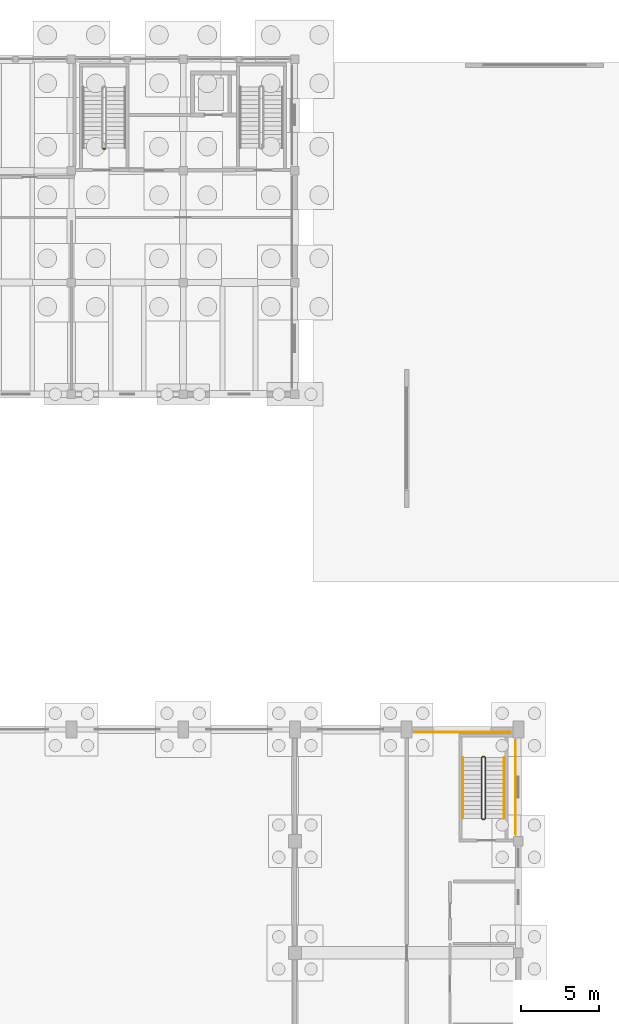
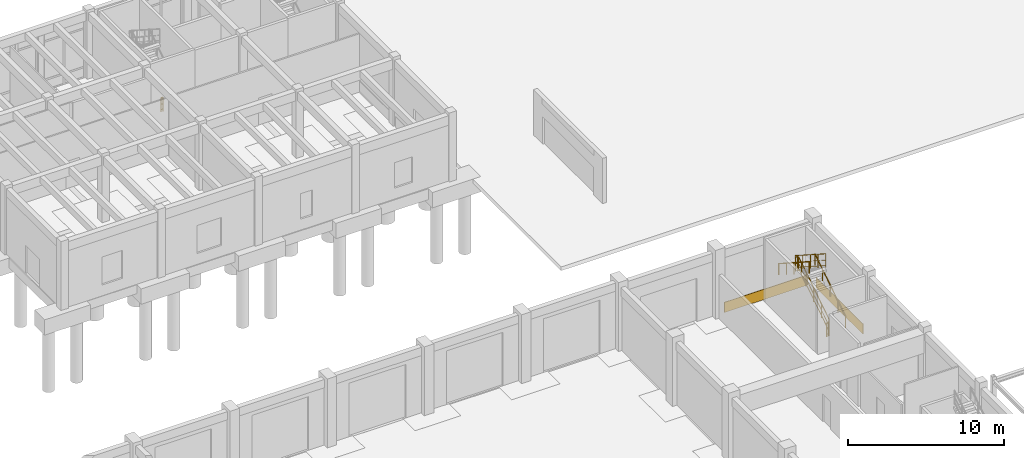
# One storey, part 89 of 93: 7 railings, 2 coverings.
"""IFC4 building model written with IfcOpenShell, lengths in metres."""

from ifc_helpers import new_model, si_unit, direction, frame, origin, origin_2d, place, context, subcontext, project, spatial, rectangle, circle, extrude, material, layer, layer_set, type_object, element, save


model = new_model("IFC4")

# Units and contexts
model_context = context("Model", 3, precision=1e-05, world=origin(), true_north=direction((0.0, 1.0)))
body_context = subcontext(model_context, "Body", "Model", "MODEL_VIEW")
ifc_project = project(units=[si_unit("LENGTHUNIT", "METRE"), si_unit("AREAUNIT", "SQUARE_METRE"), si_unit("VOLUMEUNIT", "CUBIC_METRE"), si_unit("PLANEANGLEUNIT", "RADIAN"), si_unit("MASSUNIT", "GRAM", prefix="KILO")], contexts=[model_context])

# Site, building, storey
site_placement = place(None, origin())
site = spatial("IfcSite", under=ifc_project, at=site_placement, CompositionType="ELEMENT")
building_placement = place(site_placement, origin())
building = spatial("IfcBuilding", under=site, at=building_placement, Name="Koriwan Promenade Central Fire Station", CompositionType="ELEMENT")
storey_placement = place(building_placement, origin())
storey = spatial("IfcBuildingStorey", under=building, at=storey_placement, Name="L00", CompositionType="ELEMENT", Elevation=0.0)

# Railings
ifc_material_1 = material(Name="Steel ASTM A500 Grade C", Category="steel")
ifc_layer_1 = layer(ifc_material_1, 0.050048828125, Name="Steel ASTM A500 Grade C")
ifc_layer_set_1 = layer_set([ifc_layer_1], Name="Steel ASTM A500 Grade C")
railing_type_1 = type_object("IfcRailingType", Name="StairGuard_1100", PredefinedType="BALUSTRADE", material=ifc_layer_set_1)
railing_1_placement = place(storey_placement, frame((113.080078125, 66.27001953125, 0.179931640625)))
element("IfcRailing", 1, at=railing_1_placement, inside=storey, type_object=railing_type_1, Name="L00 ST02 stair guard 1", PredefinedType="BALUSTRADE", context=body_context, shape_type="SweptSolid", body=[
    extrude(circle(Radius=0.02392578125, at=origin_2d()), frame((0.0, 0.0, 1.076171875), z_axis=(0.0, 0.841171666519, 0.540768182723), x_axis=(-1.0, 0.0, 0.0)), (0.0, 0.0, 1.0), 4.66015625),
    extrude(circle(Radius=0.012939453125, at=origin_2d()), frame((0.0, 0.0, 0.572021484375), z_axis=(0.0, 0.841171666519, 0.540768182723), x_axis=(-1.0, 0.0, 0.0)), (0.0, 0.0, 1.0), 4.66015625),
    extrude(circle(Radius=0.012939453125, at=origin_2d()), frame((0.0, 0.0, 0.154052734375), z_axis=(0.0, 0.841171666519, 0.540768182723), x_axis=(-1.0, 0.0, 0.0)), (0.0, 0.0, 1.0), 4.66015625),
    extrude(circle(Radius=0.02099609375, at=origin_2d()), origin(), (0.0, 0.0, 1.0), 1.052001953125),
    extrude(circle(Radius=0.02099609375, at=origin_2d()), frame((0.0, 0.97998046875, 0.6298828125)), (0.0, 0.0, 1.0), 1.052001953125),
    extrude(circle(Radius=0.02099609375, at=origin_2d()), frame((0.0, 1.9599609375, 1.260009765625)), (0.0, 0.0, 1.0), 1.052001953125),
    extrude(circle(Radius=0.02099609375, at=origin_2d()), frame((0.0, 2.93994140625, 1.89013671875)), (0.0, 0.0, 1.0), 1.052001953125),
    extrude(circle(Radius=0.02099609375, at=origin_2d()), frame((0.0, 3.919921875, 2.52001953125)), (0.0, 0.0, 1.0), 1.052001953125),
])
railing_2_placement = place(storey_placement, frame((113.030029296875, 70.239990234375, 2.699951171875)))
element("IfcRailing", 2, at=railing_2_placement, inside=storey, type_object=railing_type_1, Name="L00 ST02 stair guard 2", PredefinedType="BALUSTRADE", context=body_context, shape_type="SweptSolid", body=[
    extrude(circle(Radius=0.02392578125, at=origin_2d()), frame((0.0, 0.0, 1.076171875), z_axis=(-1.0, 0.0, 0.0), x_axis=(0.0, -1.0, 0.0)), (0.0, 0.0, 1.0), 0.150146484375),
    extrude(circle(Radius=0.012939453125, at=origin_2d()), frame((0.0, 0.0, 0.572021484375), z_axis=(-1.0, 0.0, 0.0), x_axis=(0.0, -1.0, 0.0)), (0.0, 0.0, 1.0), 0.150146484375),
    extrude(circle(Radius=0.012939453125, at=origin_2d()), frame((0.0, 0.0, 0.154052734375), z_axis=(-1.0, 0.0, 0.0), x_axis=(0.0, -1.0, 0.0)), (0.0, 0.0, 1.0), 0.150146484375),
    extrude(circle(Radius=0.02099609375, at=origin_2d()), origin(), (0.0, 0.0, 1.0), 1.052001953125),
    extrude(circle(Radius=0.02099609375, at=origin_2d()), frame((-0.150146484375, 0.0, 0.0)), (0.0, 0.0, 1.0), 1.052001953125),
])
railing_3_placement = place(storey_placement, frame((112.830078125, 70.18994140625, 2.8798828125)))
element("IfcRailing", 3, at=railing_3_placement, inside=storey, type_object=railing_type_1, Name="L00 ST02 stair guard 3", PredefinedType="BALUSTRADE", context=body_context, shape_type="SweptSolid", body=[
    extrude(circle(Radius=0.02392578125, at=origin_2d()), frame((0.0, 0.0, 1.076171875), z_axis=(0.0, -0.841171666519, 0.540768182723), x_axis=(1.0, 0.0, 0.0)), (0.0, 0.0, 1.0), 4.66015625),
    extrude(circle(Radius=0.012939453125, at=origin_2d()), frame((0.0, 0.0, 0.572021484375), z_axis=(0.0, -0.841171666519, 0.540768182723), x_axis=(1.0, 0.0, 0.0)), (0.0, 0.0, 1.0), 4.66015625),
    extrude(circle(Radius=0.012939453125, at=origin_2d()), frame((0.0, 0.0, 0.154052734375), z_axis=(0.0, -0.841171666519, 0.540768182723), x_axis=(1.0, 0.0, 0.0)), (0.0, 0.0, 1.0), 4.66015625),
    extrude(circle(Radius=0.02099609375, at=origin_2d()), origin(), (0.0, 0.0, 1.0), 1.052001953125),
    extrude(circle(Radius=0.02099609375, at=origin_2d()), frame((0.0, -0.97998046875, 0.6298828125)), (0.0, 0.0, 1.0), 1.052001953125),
    extrude(circle(Radius=0.02099609375, at=origin_2d()), frame((0.0, -1.9599609375, 1.260009765625)), (0.0, 0.0, 1.0), 1.052001953125),
    extrude(circle(Radius=0.02099609375, at=origin_2d()), frame((0.0, -2.93994140625, 1.89013671875)), (0.0, 0.0, 1.0), 1.052001953125),
    extrude(circle(Radius=0.02099609375, at=origin_2d()), frame((0.0, -3.919921875, 2.52001953125)), (0.0, 0.0, 1.0), 1.052001953125),
])
for number, where, name in (
    (4, (113.030029296875, 66.219970703125, 0.0), "L00 ST02 stair guard 4"),
    (5, (88.580078125, 109.419921875, 0.0), "L00 ST09 stair guard 4"),
):
    element("IfcRailing", number, at=place(storey_placement, frame(where)), inside=storey, type_object=railing_type_1, Name=name, PredefinedType="BALUSTRADE", context=body_context, shape_type="SweptSolid", body=[
        extrude(circle(Radius=0.02392578125, at=origin_2d()), frame((0.0, 0.0, 1.076171875), z_axis=(-1.0, 0.0, 0.0), x_axis=(0.0, -1.0, 0.0)), (0.0, 0.0, 1.0), 0.150146484375),
        extrude(circle(Radius=0.012939453125, at=origin_2d()), frame((0.0, 0.0, 0.572021484375), z_axis=(-1.0, 0.0, 0.0), x_axis=(0.0, -1.0, 0.0)), (0.0, 0.0, 1.0), 0.150146484375),
        extrude(circle(Radius=0.012939453125, at=origin_2d()), frame((0.0, 0.0, 0.154052734375), z_axis=(-1.0, 0.0, 0.0), x_axis=(0.0, -1.0, 0.0)), (0.0, 0.0, 1.0), 0.150146484375),
        extrude(circle(Radius=0.02099609375, at=origin_2d()), origin(), (0.0, 0.0, 1.0), 1.052001953125),
        extrude(circle(Radius=0.02099609375, at=origin_2d()), frame((-0.150146484375, 0.0, 0.0)), (0.0, 0.0, 1.0), 1.052001953125),
    ])
ifc_material_2 = material(Name="Stainless steel 316 tubular handrail", Category="steel")
ifc_layer_2 = layer(ifc_material_2, 0.048095703125, Name="Stainless steel 316 tubular handrail")
ifc_layer_set_2 = layer_set([ifc_layer_2], Name="Stainless steel 316 tubular handrail")
railing_type_2 = type_object("IfcRailingType", Name="StairHandrail_900", PredefinedType="HANDRAIL", material=ifc_layer_set_2)
railing_4_placement = place(storey_placement, frame((114.300048828125, 66.27001953125, 0.179931640625)))
element("IfcRailing", 6, at=railing_4_placement, inside=storey, type_object=railing_type_2, Name="L00 ST02 stair handrail 1", PredefinedType="HANDRAIL", context=body_context, shape_type="SweptSolid", body=[
    extrude(circle(Radius=0.02392578125, at=origin_2d()), frame((0.0, 0.0, 0.8759765625), z_axis=(0.0, 0.841171666519, 0.540768182723), x_axis=(-1.0, 0.0, 0.0)), (0.0, 0.0, 1.0), 4.66015625),
    extrude(circle(Radius=0.02099609375, at=origin_2d()), origin(), (0.0, 0.0, 1.0), 0.851806640625),
    extrude(circle(Radius=0.02099609375, at=origin_2d()), frame((0.0, 0.97998046875, 0.6298828125)), (0.0, 0.0, 1.0), 0.851806640625),
    extrude(circle(Radius=0.02099609375, at=origin_2d()), frame((0.0, 1.9599609375, 1.260009765625)), (0.0, 0.0, 1.0), 0.851806640625),
    extrude(circle(Radius=0.02099609375, at=origin_2d()), frame((0.0, 2.93994140625, 1.89013671875)), (0.0, 0.0, 1.0), 0.851806640625),
    extrude(circle(Radius=0.02099609375, at=origin_2d()), frame((0.0, 3.919921875, 2.52001953125)), (0.0, 0.0, 1.0), 0.851806640625),
])
railing_5_placement = place(storey_placement, frame((111.610107421875, 70.18994140625, 2.8798828125)))
element("IfcRailing", 7, at=railing_5_placement, inside=storey, type_object=railing_type_2, Name="L00 ST02 stair handrail 2", PredefinedType="HANDRAIL", context=body_context, shape_type="SweptSolid", body=[
    extrude(circle(Radius=0.02392578125, at=origin_2d()), frame((0.0, 0.0, 0.8759765625), z_axis=(0.0, -0.841171666519, 0.540768182723), x_axis=(1.0, 0.0, 0.0)), (0.0, 0.0, 1.0), 4.66015625),
    extrude(circle(Radius=0.02099609375, at=origin_2d()), origin(), (0.0, 0.0, 1.0), 0.851806640625),
    extrude(circle(Radius=0.02099609375, at=origin_2d()), frame((0.0, -0.97998046875, 0.6298828125)), (0.0, 0.0, 1.0), 0.851806640625),
    extrude(circle(Radius=0.02099609375, at=origin_2d()), frame((0.0, -1.9599609375, 1.260009765625)), (0.0, 0.0, 1.0), 0.851806640625),
    extrude(circle(Radius=0.02099609375, at=origin_2d()), frame((0.0, -2.93994140625, 1.89013671875)), (0.0, 0.0, 1.0), 0.851806640625),
    extrude(circle(Radius=0.02099609375, at=origin_2d()), frame((0.0, -3.919921875, 2.52001953125)), (0.0, 0.0, 1.0), 0.851806640625),
])

# Coverings
ifc_material_3 = material(Name="Natural sillar sandstone ashlar", Category="masonry")
ifc_layer_3 = layer(ifc_material_3, 0.0400390625, Name="Natural sillar sandstone ashlar")
ifc_layer_set_3 = layer_set([ifc_layer_3], Name="Natural sillar sandstone ashlar")
covering_type = type_object("IfcCoveringType", Name="WallCladding_Sillar", PredefinedType="CLADDING", material=ifc_layer_set_3)
covering_1_placement = place(storey_placement, frame((115.02001953125, 68.27490234375, 0.02001953125), z_axis=(0.0, 0.0, 1.0), x_axis=(0.0, 1.0, 0.0)))
element("IfcCovering", 8, at=covering_1_placement, inside=storey, type_object=covering_type, Name="L00 sillar plinth cladding 002", PredefinedType="CLADDING", context=body_context, shape_type="SweptSolid", body=[
    extrude(rectangle(XDim=6.050048828125, YDim=0.0400390625, at=origin_2d()), origin(), (0.0, 0.0, 1.0), 0.800048828125),
])
covering_2_placement = place(storey_placement, frame((111.60009765625, 71.820068359375, 0.02001953125), z_axis=(0.0, 0.0, 1.0), x_axis=(-1.0, 0.0, 0.0)))
element("IfcCovering", 9, at=covering_2_placement, inside=storey, type_object=covering_type, Name="L00 sillar plinth cladding 003", PredefinedType="CLADDING", context=body_context, shape_type="SweptSolid", body=[
    extrude(rectangle(XDim=6.199951171875, YDim=0.0400390625, at=origin_2d()), origin(), (0.0, 0.0, 1.0), 0.800048828125),
])

save(model, "model.ifc")
